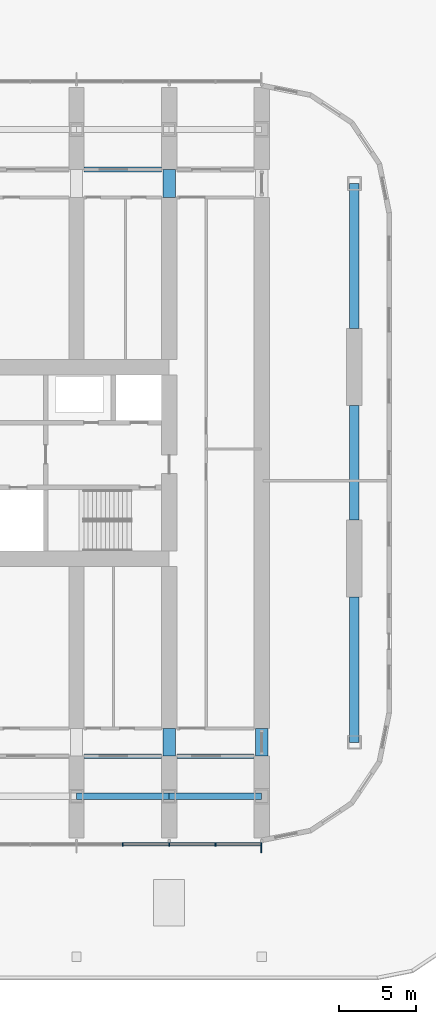
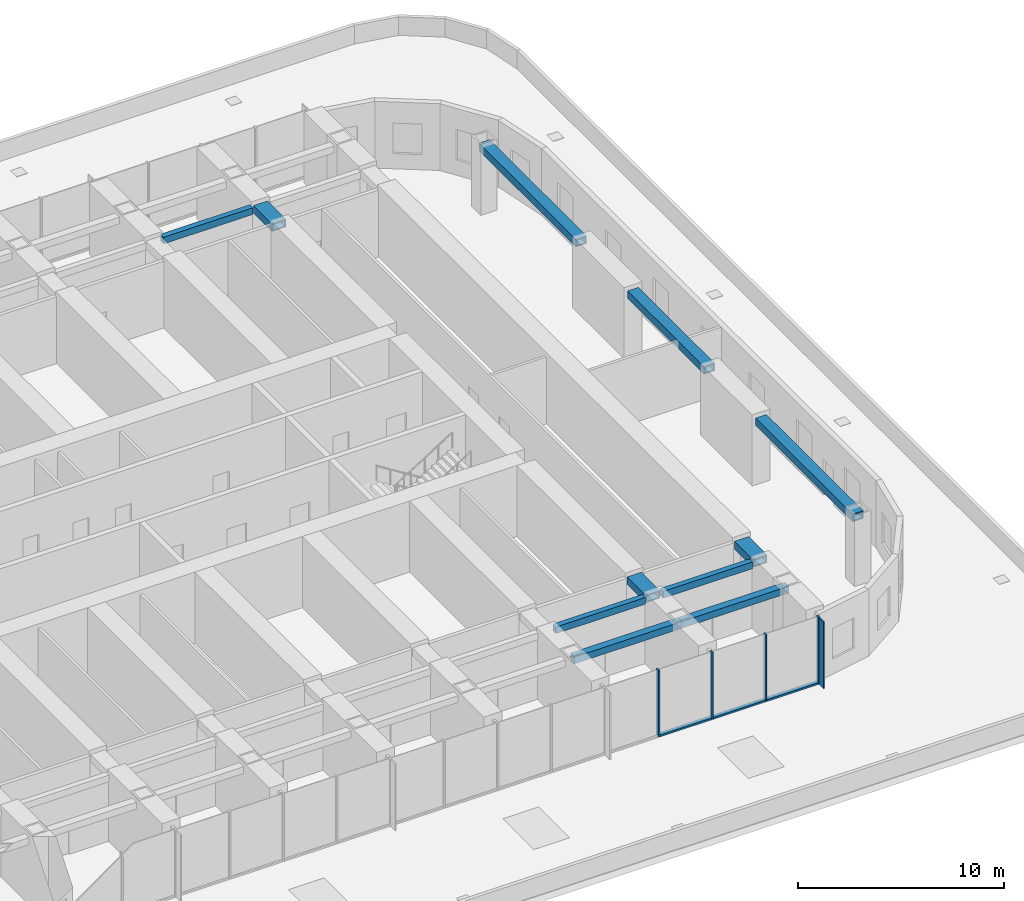
# One storey, part 6 of 23: 11 beams, 8 members, 1 element without a shape of its own.
"""IFC4 building model written with IfcOpenShell, lengths in metres."""

from ifc_helpers import new_model, si_unit, direction, frame, origin, origin_2d, place, context, subcontext, project, spatial, rectangle, hollow_rectangle, extrude, material, material_profile, profile_set, type_object, element, aggregate, save


model = new_model("IFC4")

# Units and contexts
model_context = context("Model", 3, precision=1e-05, world=origin(), true_north=direction((0.0, 1.0)))
body_context = subcontext(model_context, "Body", "Model", "MODEL_VIEW")
ifc_project = project(units=[si_unit("LENGTHUNIT", "METRE"), si_unit("AREAUNIT", "SQUARE_METRE"), si_unit("VOLUMEUNIT", "CUBIC_METRE"), si_unit("PLANEANGLEUNIT", "RADIAN"), si_unit("MASSUNIT", "GRAM", prefix="KILO")], contexts=[model_context])

# Site, building, storey
site_placement = place(None, origin())
site = spatial("IfcSite", under=ifc_project, at=site_placement, CompositionType="ELEMENT")
building_placement = place(site_placement, origin())
building = spatial("IfcBuilding", under=site, at=building_placement, Name="Orbita Commons", CompositionType="ELEMENT")
storey_placement = place(building_placement, frame((0.0, 0.0, 16.0)))
storey = spatial("IfcBuildingStorey", under=building, at=storey_placement, Name="L03", CompositionType="ELEMENT", Elevation=16.0)

# Curtain wall, members
ifc_material_1 = material(Name="Anodised aluminium frame, pale silver", Category="aluminium")
curtain_wall_type = type_object("IfcCurtainWallType", Name="Unitised curtain wall CW-S, full-height", PredefinedType="NOTDEFINED", material=ifc_material_1)
curtain_wall_placement = place(storey_placement, origin())
curtain_wall = element("IfcCurtainWall", 1, at=curtain_wall_placement, inside=storey, type_object=curtain_wall_type, Name="Curtain wall south L03", PredefinedType="NOTDEFINED")
ifc_material_2 = material(Name="Anodised aluminium, pale silver", Category="aluminium")
ifc_material_profile_1 = material_profile(ifc_material_2, rectangle(XDim=0.080078125, YDim=0.219970703125, at=origin_2d()), Name="AL 80x220")
ifc_profile_set_1 = profile_set([ifc_material_profile_1], Name="Anodised aluminium, pale silver")
member_type_1 = type_object("IfcMemberType", Name="Curtain wall mullion 80x220", PredefinedType="MULLION", material=ifc_profile_set_1)
member_1_placement = place(storey_placement, frame((63.0, 7.2900390625, 0.0), z_axis=(0.0, 0.0, 1.0), x_axis=(1.0, 0.0, 0.0)))
member_1 = element("IfcMember", 2, at=member_1_placement, type_object=member_type_1, Name="Mullion 18 CW-L03-S", PredefinedType="MULLION", context=body_context, shape_type="SweptSolid", body=[
    extrude(rectangle(XDim=0.080078125, YDim=0.219970703125, at=origin_2d()), origin(), (0.0, 0.0, 1.0), 3.949951171875),
])
member_2_placement = place(storey_placement, frame((66.0, 7.2900390625, 0.0), z_axis=(0.0, 0.0, 1.0), x_axis=(1.0, 0.0, 0.0)))
member_2 = element("IfcMember", 3, at=member_2_placement, type_object=member_type_1, Name="Mullion 19 CW-L03-S", PredefinedType="MULLION", context=body_context, shape_type="SweptSolid", body=[
    extrude(rectangle(XDim=0.080078125, YDim=0.219970703125, at=origin_2d()), origin(), (0.0, 0.0, 1.0), 3.949951171875),
])
member_3_placement = place(storey_placement, frame((69.0, 7.2900390625, 0.0), z_axis=(0.0, 0.0, 1.0), x_axis=(1.0, 0.0, 0.0)))
member_3 = element("IfcMember", 4, at=member_3_placement, type_object=member_type_1, Name="Mullion 20 CW-L03-S", PredefinedType="MULLION", context=body_context, shape_type="SweptSolid", body=[
    extrude(rectangle(XDim=0.080078125, YDim=0.219970703125, at=origin_2d()), origin(), (0.0, 0.0, 1.0), 3.949951171875),
])
member_4_placement = place(storey_placement, frame((71.9599609375, 7.2900390625, 0.0), z_axis=(0.0, 0.0, 1.0), x_axis=(1.0, 0.0, 0.0)))
member_4 = element("IfcMember", 5, at=member_4_placement, type_object=member_type_1, Name="Mullion 21 CW-L03-S", PredefinedType="MULLION", context=body_context, shape_type="SweptSolid", body=[
    extrude(rectangle(XDim=0.080078125, YDim=0.219970703125, at=origin_2d()), origin(), (0.0, 0.0, 1.0), 3.949951171875),
])
ifc_material_3 = material(Name="Anodised aluminium, pale silver", Category="aluminium")
ifc_material_profile_2 = material_profile(ifc_material_3, rectangle(XDim=0.219970703125, YDim=0.10009765625, at=origin_2d()), Name="AL 220x100")
ifc_profile_set_2 = profile_set([ifc_material_profile_2], Name="Anodised aluminium, pale silver")
member_type_2 = type_object("IfcMemberType", Name="Curtain wall stack transom 220x100", PredefinedType="USERDEFINED", material=ifc_profile_set_2)
member_5_placement = place(storey_placement, frame((63.0400390625, 7.2900390625, 0.050048828125), z_axis=(1.0, 0.0, 0.0), x_axis=(0.0, 1.0, 0.0)))
member_5 = element("IfcMember", 6, at=member_5_placement, type_object=member_type_2, Name="Transom 18.1 CW-L03-S", ObjectType="TRANSOM", PredefinedType="USERDEFINED", context=body_context, shape_type="SweptSolid", body=[
    extrude(rectangle(XDim=0.219970703125, YDim=0.10009765625, at=origin_2d()), origin(), (0.0, 0.0, 1.0), 2.919921875),
])
member_6_placement = place(storey_placement, frame((66.0400390625, 7.2900390625, 0.050048828125), z_axis=(1.0, 0.0, 0.0), x_axis=(0.0, 1.0, 0.0)))
member_6 = element("IfcMember", 7, at=member_6_placement, type_object=member_type_2, Name="Transom 19.1 CW-L03-S", ObjectType="TRANSOM", PredefinedType="USERDEFINED", context=body_context, shape_type="SweptSolid", body=[
    extrude(rectangle(XDim=0.219970703125, YDim=0.10009765625, at=origin_2d()), origin(), (0.0, 0.0, 1.0), 2.919921875),
])
member_7_placement = place(storey_placement, frame((69.0400390625, 7.2900390625, 0.050048828125), z_axis=(1.0, 0.0, 0.0), x_axis=(0.0, 1.0, 0.0)))
member_7 = element("IfcMember", 8, at=member_7_placement, type_object=member_type_2, Name="Transom 20.1 CW-L03-S", ObjectType="TRANSOM", PredefinedType="USERDEFINED", context=body_context, shape_type="SweptSolid", body=[
    extrude(rectangle(XDim=0.219970703125, YDim=0.10009765625, at=origin_2d()), origin(), (0.0, 0.0, 1.0), 2.8798828125),
])

# Beams
ifc_material_4 = material(Name="Steel ASTM A572 Gr 50 welded plate", Category="steel")
ifc_material_profile_3 = material_profile(ifc_material_4, hollow_rectangle(XDim=0.300048828125, YDim=0.39990234375, WallThickness=0.0400390625, at=origin_2d()), Name="BOX 400x300x40")
ifc_profile_set_3 = profile_set([ifc_material_profile_3], Name="Steel ASTM A572 Gr 50 welded plate")
beam_type_1 = type_object("IfcBeamType", Name="Steel corridor link BOX 400x300x40", PredefinedType="BEAM", material=ifc_profile_set_3)
for number, where, z_axis, x_axis, name in (
    (9, (60.5, 13.0, 3.75), (1.0, 0.0, 0.0), (0.0, 1.0, 0.0), "Corridor beam SA 11-12 L03"),
    (10, (60.5, 51.0, 3.75), (1.0, 0.0, 0.0), (0.0, 1.0, 0.0), "Corridor beam NB 11-12 L03"),
    (11, (66.5, 13.0, 3.75), (1.0, 0.0, 0.0), (0.0, 1.0, 0.0), "Corridor beam SA 12-13 L03"),
):
    element("IfcBeam", number, at=place(storey_placement, frame(where, z_axis=z_axis, x_axis=x_axis)), inside=storey, type_object=beam_type_1, Name=name, PredefinedType="BEAM", context=body_context, shape_type="SweptSolid", body=[
        extrude(hollow_rectangle(XDim=0.300048828125, YDim=0.39990234375, WallThickness=0.0400390625, at=origin_2d()), origin(), (0.0, 0.0, 1.0), 5.0),
    ])
ifc_material_5 = material(Name="Steel ASTM A572 Gr 50 welded plate", Category="steel")
ifc_material_profile_4 = material_profile(ifc_material_5, hollow_rectangle(XDim=0.800048828125, YDim=0.449951171875, WallThickness=0.06005859375, at=origin_2d()), Name="BOX 450x800x60")
ifc_profile_set_4 = profile_set([ifc_material_profile_4], Name="Steel ASTM A572 Gr 50 welded plate")
beam_type_2 = type_object("IfcBeamType", Name="Steel coupling link BOX 450x800x60", PredefinedType="LINTEL", material=ifc_profile_set_4)
for number, where, z_axis, x_axis, name in (
    (12, (66.0, 13.0, 3.72509765625), (0.0, 1.0, 0.0), (-1.0, 0.0, 0.0), "Coupling beam 12 south L03"),
    (13, (66.0, 49.199951171875, 3.72509765625), (0.0, 1.0, 0.0), (-1.0, 0.0, 0.0), "Coupling beam 12 north L03"),
    (14, (72.0, 13.0, 3.72509765625), (0.0, 1.0, 0.0), (-1.0, 0.0, 0.0), "Coupling beam 13 south L03"),
):
    element("IfcBeam", number, at=place(storey_placement, frame(where, z_axis=z_axis, x_axis=x_axis)), inside=storey, type_object=beam_type_2, Name=name, PredefinedType="LINTEL", context=body_context, shape_type="SweptSolid", body=[
        extrude(hollow_rectangle(XDim=0.800048828125, YDim=0.449951171875, WallThickness=0.06005859375, at=origin_2d()), origin(), (0.0, 0.0, 1.0), 1.800048828125),
    ])
ifc_material_6 = material(Name="Steel ASTM A572 Gr 50 welded plate", Category="steel")
ifc_material_profile_5 = material_profile(ifc_material_6, hollow_rectangle(XDim=0.60009765625, YDim=0.449951171875, WallThickness=0.06005859375, at=origin_2d()), Name="BOX 450x600x60")
ifc_profile_set_5 = profile_set([ifc_material_profile_5], Name="Steel ASTM A572 Gr 50 welded plate")
beam_type_3 = type_object("IfcBeamType", Name="Steel end frame link BOX 450x600x60", PredefinedType="BEAM", material=ifc_profile_set_5)
beam_1_placement = place(storey_placement, frame((78.0, 13.89990234375, 3.72509765625), z_axis=(0.0, 1.0, 0.0), x_axis=(-1.0, 0.0, 0.0)))
element("IfcBeam", 15, at=beam_1_placement, inside=storey, type_object=beam_type_3, Name="End frame beam 14 B-C L03", PredefinedType="BEAM", context=body_context, shape_type="SweptSolid", body=[
    extrude(hollow_rectangle(XDim=0.60009765625, YDim=0.449951171875, WallThickness=0.06005859375, at=origin_2d()), origin(), (0.0, 0.0, 1.0), 9.400146484375),
])
beam_2_placement = place(storey_placement, frame((78.0, 28.300048828125, 3.72509765625), z_axis=(0.0, 1.0, 0.0), x_axis=(-1.0, 0.0, 0.0)))
element("IfcBeam", 16, at=beam_2_placement, inside=storey, type_object=beam_type_3, Name="End frame beam 14 C-D L03", PredefinedType="BEAM", context=body_context, shape_type="SweptSolid", body=[
    extrude(hollow_rectangle(XDim=0.60009765625, YDim=0.449951171875, WallThickness=0.06005859375, at=origin_2d()), origin(), (0.0, 0.0, 1.0), 7.39990234375),
])
beam_3_placement = place(storey_placement, frame((78.0, 40.699951171875, 3.72509765625), z_axis=(0.0, 1.0, 0.0), x_axis=(-1.0, 0.0, 0.0)))
element("IfcBeam", 17, at=beam_3_placement, inside=storey, type_object=beam_type_3, Name="End frame beam 14 D-E L03", PredefinedType="BEAM", context=body_context, shape_type="SweptSolid", body=[
    extrude(hollow_rectangle(XDim=0.60009765625, YDim=0.449951171875, WallThickness=0.06005859375, at=origin_2d()), origin(), (0.0, 0.0, 1.0), 9.400146484375),
])
ifc_material_7 = material(Name="Steel ASTM A572 Gr 50 welded plate", Category="steel")
ifc_material_profile_6 = material_profile(ifc_material_7, hollow_rectangle(XDim=0.39990234375, YDim=0.39990234375, WallThickness=0.0400390625, at=origin_2d()), Name="BOX 400x400x40")
ifc_profile_set_6 = profile_set([ifc_material_profile_6], Name="Steel ASTM A572 Gr 50 welded plate")
beam_type_4 = type_object("IfcBeamType", Name="Steel spandrel BOX 400x400x40", PredefinedType="SPANDREL", material=ifc_profile_set_6)
for number, where, z_axis, x_axis, name in (
    (18, (60.0, 10.39990234375, 3.75), (1.0, 0.0, 0.0), (0.0, 1.0, 0.0), "Spandrel beam B 11-12 L03"),
    (19, (66.0, 10.39990234375, 3.75), (1.0, 0.0, 0.0), (0.0, 1.0, 0.0), "Spandrel beam B 12-13 L03"),
):
    element("IfcBeam", number, at=place(storey_placement, frame(where, z_axis=z_axis, x_axis=x_axis)), inside=storey, type_object=beam_type_4, Name=name, PredefinedType="SPANDREL", context=body_context, shape_type="SweptSolid", body=[
        extrude(hollow_rectangle(XDim=0.39990234375, YDim=0.39990234375, WallThickness=0.0400390625, at=origin_2d()), origin(), (0.0, 0.0, 1.0), 6.0),
    ])

# Member
ifc_material_8 = material(Name="Anodised aluminium, pale silver", Category="aluminium")
ifc_material_profile_7 = material_profile(ifc_material_8, rectangle(XDim=0.06005859375, YDim=0.449951171875, at=origin_2d()), Name="FIN 60x450")
ifc_profile_set_7 = profile_set([ifc_material_profile_7], Name="Anodised aluminium, pale silver")
member_type_3 = type_object("IfcMemberType", Name="Vertical fin 60x450 pale aluminium", PredefinedType="USERDEFINED", material=ifc_profile_set_7)
member_8_placement = place(storey_placement, frame((71.9599609375, 6.955078125, 0.0), z_axis=(0.0, 0.0, 1.0), x_axis=(1.0, 0.0, 0.0)))
member_8 = element("IfcMember", 20, at=member_8_placement, type_object=member_type_3, Name="Fin 21 CW-L03-S", ObjectType="FIN", PredefinedType="USERDEFINED", context=body_context, shape_type="SweptSolid", body=[
    extrude(rectangle(XDim=0.06005859375, YDim=0.449951171875, at=origin_2d()), origin(), (0.0, 0.0, 1.0), 3.949951171875),
])

aggregate(curtain_wall, [member_1, member_2, member_3, member_4, member_8, member_5, member_6, member_7])

save(model, "model.ifc")
